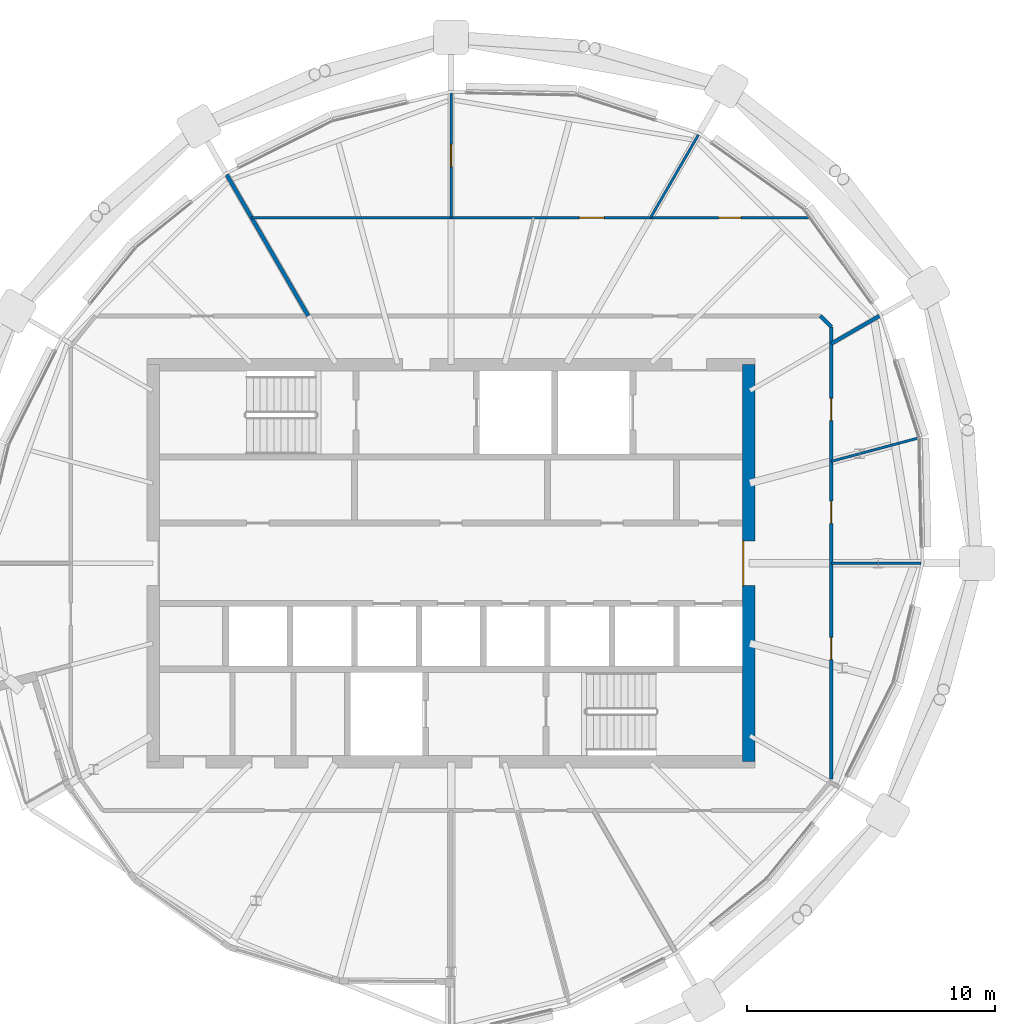
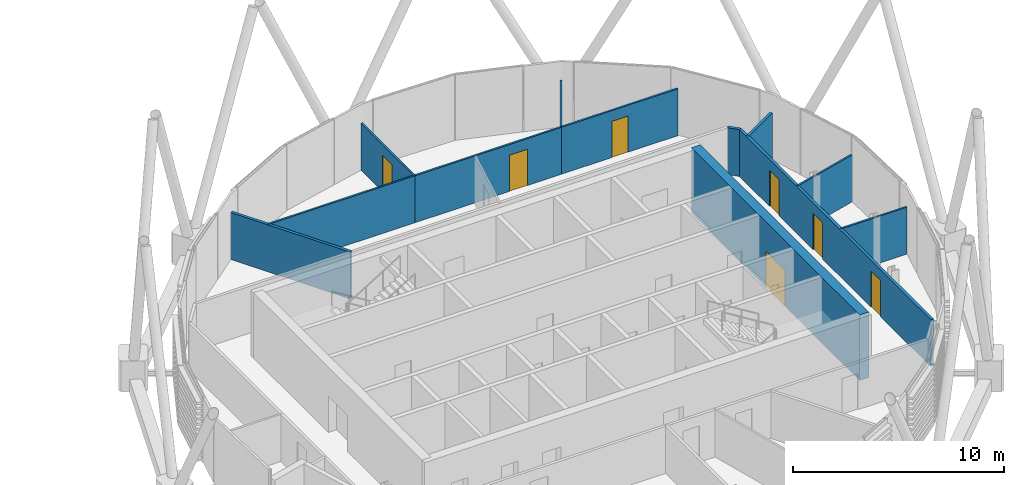
# One storey, part 23 of 31: 12 walls, 7 doors, 7 openings.
"""IFC4 building model written with IfcOpenShell, lengths in metres."""

from ifc_helpers import new_model, si_unit, direction, frame, frame_2d, origin, place, context, subcontext, project, spatial, rectangle, extrude, material, layer, layer_set, type_object, element, fill, save


model = new_model("IFC4")

# Units and contexts
model_context = context("Model", 3, precision=1e-05, world=origin(), true_north=direction((0.0, 1.0)))
body_context = subcontext(model_context, "Body", "Model", "MODEL_VIEW")
ifc_project = project(units=[si_unit("LENGTHUNIT", "METRE"), si_unit("AREAUNIT", "SQUARE_METRE"), si_unit("VOLUMEUNIT", "CUBIC_METRE"), si_unit("PLANEANGLEUNIT", "RADIAN"), si_unit("MASSUNIT", "GRAM", prefix="KILO")], contexts=[model_context])

# Site, building, storey
site_placement = place(None, origin())
site = spatial("IfcSite", under=ifc_project, at=site_placement, CompositionType="ELEMENT")
building_placement = place(site_placement, origin())
building = spatial("IfcBuilding", under=site, at=building_placement, Name="Rimbun Link Towers", CompositionType="ELEMENT")
storey_placement = place(building_placement, frame((0.0, 0.0, 244.699951171875)))
storey = spatial("IfcBuildingStorey", under=building, at=storey_placement, Name="L60", CompositionType="ELEMENT", Elevation=244.699951171875)

# Wall, opening, door
ifc_material_1 = material(Name="Concrete C60/75", Category="concrete")
ifc_layer_1 = layer(ifc_material_1, 0.5)
ifc_layer_set_1 = layer_set([ifc_layer_1], Name="Core shear wall 500")
wall_type_1 = type_object("IfcWallType", Name="Core shear wall 500", PredefinedType="SHEAR", material=ifc_layer_set_1)
wall_1_placement = place(storey_placement, frame((43.75, -8.0, 0.0), z_axis=(0.0, 0.0, 1.0), x_axis=(0.0, 1.0, 0.0)))
wall_1 = element("IfcWall", 1, at=wall_1_placement, inside=storey, type_object=wall_type_1, Name="L60 T2 core wall E", PredefinedType="SHEAR", context=body_context, shape_type="SweptSolid", body=[
    extrude(rectangle(XDim=16.0, YDim=0.5, at=frame_2d((8.0, 0.0))), origin(), (0.0, 0.0, 1.0), 3.800048828125),
])
opening_1_placement = place(wall_1_placement, frame((7.10009765625, 0.0, 0.0)))
opening_1 = element("IfcOpeningElement", 2, at=opening_1_placement, cuts=wall_1, Name="Opening C2DCL01E", PredefinedType="OPENING", context=body_context, shape_type="SweptSolid", body=[
    extrude(rectangle(XDim=1.800048828125, YDim=2.10009765625, at=frame_2d((0.89990234375, 1.050048828125))), frame((0.0, 0.260009765625, 0.0), z_axis=(0.0, -1.0, 0.0), x_axis=(1.0, 0.0, 0.0)), (0.0, 0.0, 1.0), 0.52001953125),
])
ifc_material_2 = material(Name="Steel fire door set", Category="steel")
door_type_1 = type_object("IfcDoorType", Name="Core lobby door double", OperationType="DOUBLE_DOOR_SINGLE_SWING", PredefinedType="DOOR", material=ifc_material_2)
door_1_placement = place(opening_1_placement, origin())
door_1 = element("IfcDoor", 3, at=door_1_placement, inside=storey, type_object=door_type_1, Name="L60 T2 lift lobby door", OperationType="DOUBLE_DOOR_SINGLE_SWING", OverallHeight=2.10009765625, OverallWidth=1.800048828125, PredefinedType="DOOR", context=body_context, shape_type="SweptSolid", body=[
    extrude(rectangle(XDim=1.800048828125, YDim=2.10009765625, at=frame_2d((0.89990234375, 1.050048828125))), frame((0.0, 0.25, 0.0), z_axis=(0.0, -1.0, 0.0), x_axis=(1.0, 0.0, 0.0)), (0.0, 0.0, 1.0), 0.050048828125),
])
fill(opening_1, door_1)

# Wall
ifc_material_3 = material(Name="Plasterboard on steel stud, mineral wool", Category="steel")
ifc_layer_2 = layer(ifc_material_3, 0.14990234375)
ifc_layer_set_2 = layer_set([ifc_layer_2], Name="Corridor wall EI 30 150 mm")
wall_type_2 = type_object("IfcWallType", Name="Corridor wall EI 30 150 mm", PredefinedType="PARTITIONING", material=ifc_layer_set_2)
wall_2_placement = place(storey_placement, frame((47.074951171875, 9.523681640625, 0.0), z_axis=(0.0, 0.0, 1.0), x_axis=(-0.706911150604, 0.70730235766, 0.0)))
element("IfcWall", 4, at=wall_2_placement, inside=storey, type_object=wall_type_2, Name="Corridor wall EI 30 150 mm", PredefinedType="PARTITIONING", context=body_context, shape_type="SweptSolid", body=[
    extrude(rectangle(XDim=0.6240234375, YDim=0.14990234375, at=frame_2d((0.31201171875, 0.0))), origin(), (0.0, 0.0, 1.0), 2.72216796875),
])

# Wall, openings, doors
wall_3_placement = place(storey_placement, frame((47.074951171875, 9.523681640625, 0.0), z_axis=(0.0, 0.0, 1.0), x_axis=(0.0, -1.0, 0.0)))
wall_3 = element("IfcWall", 5, at=wall_3_placement, inside=storey, type_object=wall_type_2, Name="Corridor wall EI 30 150 mm", PredefinedType="PARTITIONING", context=body_context, shape_type="SweptSolid", body=[
    extrude(rectangle(XDim=18.2158203125, YDim=0.14990234375, at=frame_2d((9.10791015625, 0.0))), origin(), (0.0, 0.0, 1.0), 2.72216796875),
])
opening_2_placement = place(wall_3_placement, frame((12.513671875, 0.0, 0.0)))
opening_2 = element("IfcOpeningElement", 6, at=opening_2_placement, cuts=wall_3, Name="Opening D02", PredefinedType="OPENING", context=body_context, shape_type="SweptSolid", body=[
    extrude(rectangle(XDim=0.89990234375, YDim=2.10009765625, at=frame_2d((0.449951171875, 1.050048828125))), frame((0.0, 0.0849609375, 0.0), z_axis=(0.0, -1.0, 0.0), x_axis=(1.0, 0.0, 0.0)), (0.0, 0.0, 1.0), 0.169921875),
])
opening_3_placement = place(wall_3_placement, frame((7.0205078125, 0.0, 0.0)))
opening_3 = element("IfcOpeningElement", 7, at=opening_3_placement, cuts=wall_3, Name="Opening D02", PredefinedType="OPENING", context=body_context, shape_type="SweptSolid", body=[
    extrude(rectangle(XDim=0.89990234375, YDim=2.10009765625, at=frame_2d((0.449951171875, 1.050048828125))), frame((0.0, 0.0849609375, 0.0), z_axis=(0.0, -1.0, 0.0), x_axis=(1.0, 0.0, 0.0)), (0.0, 0.0, 1.0), 0.169921875),
])
opening_4_placement = place(wall_3_placement, frame((2.880615234375, 0.0, 0.0)))
opening_4 = element("IfcOpeningElement", 8, at=opening_4_placement, cuts=wall_3, Name="Opening D02", PredefinedType="OPENING", context=body_context, shape_type="SweptSolid", body=[
    extrude(rectangle(XDim=0.89990234375, YDim=2.10009765625, at=frame_2d((0.449951171875, 1.050048828125))), frame((0.0, 0.0849609375, 0.0), z_axis=(0.0, -1.0, 0.0), x_axis=(1.0, 0.0, 0.0)), (0.0, 0.0, 1.0), 0.169921875),
])
ifc_material_4 = material(Name="Fire-resisting timber door leaf", Category="wood")
door_type_2 = type_object("IfcDoorType", Name="Fire door FD30S 900", OperationType="NOTDEFINED", PredefinedType="DOOR", material=ifc_material_4)
door_2_placement = place(opening_2_placement, origin())
door_2 = element("IfcDoor", 9, at=door_2_placement, inside=storey, type_object=door_type_2, Name="Fire door FD30S 900 to Print room", OperationType="SINGLE_SWING_RIGHT", OverallHeight=2.10009765625, OverallWidth=0.89990234375, PredefinedType="DOOR", context=body_context, shape_type="SweptSolid", body=[
    extrude(rectangle(XDim=0.89990234375, YDim=2.10009765625, at=frame_2d((0.449951171875, 1.050048828125))), frame((0.0, 0.02490234375, 0.0), z_axis=(0.0, -1.0, 0.0), x_axis=(1.0, 0.0, 0.0)), (0.0, 0.0, 1.0), 0.050048828125),
])
fill(opening_2, door_2)
door_3_placement = place(opening_3_placement, origin())
door_3 = element("IfcDoor", 10, at=door_3_placement, inside=storey, type_object=door_type_2, Name="Fire door FD30S 900 to Open office", OperationType="SINGLE_SWING_LEFT", OverallHeight=2.10009765625, OverallWidth=0.89990234375, PredefinedType="DOOR", context=body_context, shape_type="SweptSolid", body=[
    extrude(rectangle(XDim=0.89990234375, YDim=2.10009765625, at=frame_2d((0.449951171875, 1.050048828125))), frame((0.0, 0.02490234375, 0.0), z_axis=(0.0, -1.0, 0.0), x_axis=(1.0, 0.0, 0.0)), (0.0, 0.0, 1.0), 0.050048828125),
])
fill(opening_3, door_3)
door_4_placement = place(opening_4_placement, origin())
door_4 = element("IfcDoor", 11, at=door_4_placement, inside=storey, type_object=door_type_2, Name="Fire door FD30S 900 to Meeting room", OperationType="SINGLE_SWING_RIGHT", OverallHeight=2.10009765625, OverallWidth=0.89990234375, PredefinedType="DOOR", context=body_context, shape_type="SweptSolid", body=[
    extrude(rectangle(XDim=0.89990234375, YDim=2.10009765625, at=frame_2d((0.449951171875, 1.050048828125))), frame((0.0, 0.02490234375, 0.0), z_axis=(0.0, -1.0, 0.0), x_axis=(1.0, 0.0, 0.0)), (0.0, 0.0, 1.0), 0.050048828125),
])
fill(opening_4, door_4)

# Walls
ifc_material_5 = material(Name="Plasterboard on steel stud", Category="steel")
ifc_layer_3 = layer(ifc_material_5, 0.10009765625)
ifc_layer_set_3 = layer_set([ifc_layer_3], Name="Plasterboard partition 100 mm")
wall_type_3 = type_object("IfcWallType", Name="Plasterboard partition 100 mm", PredefinedType="PARTITIONING", material=ifc_layer_set_3)
wall_4_placement = place(storey_placement, frame((50.689208984375, 0.0, 0.0), z_axis=(0.0, 0.0, 1.0), x_axis=(-1.0, 0.0, 0.0)))
element("IfcWall", 12, at=wall_4_placement, inside=storey, type_object=wall_type_3, Name="Plasterboard partition 100 mm", PredefinedType="PARTITIONING", context=body_context, shape_type="SweptSolid", body=[
    extrude(rectangle(XDim=3.6142578125, YDim=0.10009765625, at=frame_2d((1.80712890625, 0.0))), origin(), (0.0, 0.0, 1.0), 2.72216796875),
])
wall_5_placement = place(storey_placement, frame((50.5830078125, 5.04638671875, 0.0), z_axis=(0.0, 0.0, 1.0), x_axis=(-0.965928547864, -0.258808887833, 0.0)))
element("IfcWall", 13, at=wall_5_placement, inside=storey, type_object=wall_type_3, Name="Plasterboard partition 100 mm", PredefinedType="PARTITIONING", context=body_context, shape_type="SweptSolid", body=[
    extrude(rectangle(XDim=3.6318359375, YDim=0.10009765625, at=frame_2d((1.81591796875, 0.0))), origin(), (0.0, 0.0, 1.0), 2.72216796875),
])

# Wall, opening, door
wall_6_placement = place(storey_placement, frame((39.78955078125, 13.925048828125, 0.0), z_axis=(0.0, 0.0, 1.0), x_axis=(1.0, 0.0, 0.0)))
wall_6 = element("IfcWall", 14, at=wall_6_placement, inside=storey, type_object=wall_type_3, Name="Plasterboard partition 100 mm", PredefinedType="PARTITIONING", context=body_context, shape_type="SweptSolid", body=[
    extrude(rectangle(XDim=6.38916015625, YDim=0.10009765625, at=frame_2d((3.194580078125, 0.0))), origin(), (0.0, 0.0, 1.0), 2.72216796875),
])
opening_5_placement = place(wall_6_placement, frame((2.74462890625, 0.0, 0.0)))
opening_5 = element("IfcOpeningElement", 15, at=opening_5_placement, cuts=wall_6, Name="Opening D04", PredefinedType="OPENING", context=body_context, shape_type="SweptSolid", body=[
    extrude(rectangle(XDim=0.89990234375, YDim=2.10009765625, at=frame_2d((0.449951171875, 1.050048828125))), frame((0.0, 0.06005859375, 0.0), z_axis=(0.0, -1.0, 0.0), x_axis=(1.0, 0.0, 0.0)), (0.0, 0.0, 1.0), 0.1201171875),
])
ifc_material_6 = material(Name="Timber door leaf", Category="wood")
door_type_3 = type_object("IfcDoorType", Name="Flush door 900", OperationType="NOTDEFINED", PredefinedType="DOOR", material=ifc_material_6)
door_5_placement = place(opening_5_placement, origin())
door_5 = element("IfcDoor", 16, at=door_5_placement, inside=storey, type_object=door_type_3, Name="Flush door 900 to Executive office", OperationType="SINGLE_SWING_RIGHT", OverallHeight=2.10009765625, OverallWidth=0.89990234375, PredefinedType="DOOR", context=body_context, shape_type="SweptSolid", body=[
    extrude(rectangle(XDim=0.89990234375, YDim=2.10009765625, at=frame_2d((0.449951171875, 1.050048828125))), frame((0.0, 0.02490234375, 0.0), z_axis=(0.0, -1.0, 0.0), x_axis=(1.0, 0.0, 0.0)), (0.0, 0.0, 1.0), 0.050048828125),
])
fill(opening_5, door_5)

wall_7_placement = place(storey_placement, frame((31.75, 13.925048828125, 0.0), z_axis=(0.0, 0.0, 1.0), x_axis=(1.0, 0.0, 0.0)))
wall_7 = element("IfcWall", 17, at=wall_7_placement, inside=storey, type_object=wall_type_3, Name="Plasterboard partition 100 mm", PredefinedType="PARTITIONING", context=body_context, shape_type="SweptSolid", body=[
    extrude(rectangle(XDim=8.03955078125, YDim=0.10009765625, at=frame_2d((4.019775390625, 0.0))), origin(), (0.0, 0.0, 1.0), 2.72216796875),
])
opening_6_placement = place(wall_7_placement, frame((5.16650390625, 0.0, 0.0)))
opening_6 = element("IfcOpeningElement", 18, at=opening_6_placement, cuts=wall_7, Name="Opening D03", PredefinedType="OPENING", context=body_context, shape_type="SweptSolid", body=[
    extrude(rectangle(XDim=1.0, YDim=2.10009765625, at=frame_2d((0.5, 1.050048828125))), frame((0.0, 0.06005859375, 0.0), z_axis=(0.0, -1.0, 0.0), x_axis=(1.0, 0.0, 0.0)), (0.0, 0.0, 1.0), 0.1201171875),
])
ifc_material_7 = material(Name="Timber door leaf", Category="wood")
door_type_4 = type_object("IfcDoorType", Name="Flush door 1000", OperationType="NOTDEFINED", PredefinedType="DOOR", material=ifc_material_7)
door_6_placement = place(opening_6_placement, origin())
door_6 = element("IfcDoor", 19, at=door_6_placement, inside=storey, type_object=door_type_4, Name="Flush door 1000 to Open office", OperationType="SINGLE_SWING_LEFT", OverallHeight=2.10009765625, OverallWidth=1.0, PredefinedType="DOOR", context=body_context, shape_type="SweptSolid", body=[
    extrude(rectangle(XDim=1.0, YDim=2.10009765625, at=frame_2d((0.5, 1.050048828125))), frame((0.0, 0.02490234375, 0.0), z_axis=(0.0, -1.0, 0.0), x_axis=(1.0, 0.0, 0.0)), (0.0, 0.0, 1.0), 0.050048828125),
])
fill(opening_6, door_6)

# Walls
wall_8_placement = place(storey_placement, frame((31.75, 13.925048828125, 0.0), z_axis=(0.0, 0.0, 1.0), x_axis=(-1.0, 0.0, 0.0)))
element("IfcWall", 20, at=wall_8_placement, inside=storey, type_object=wall_type_3, Name="Plasterboard partition 100 mm", PredefinedType="PARTITIONING", context=body_context, shape_type="SweptSolid", body=[
    extrude(rectangle(XDim=8.039794921875, YDim=0.10009765625, at=frame_2d((4.02001953125, 0.0))), origin(), (0.0, 0.0, 1.0), 2.72216796875),
])
wall_9_placement = place(storey_placement, frame((41.71923828125, 17.267333984375, 0.0), z_axis=(0.0, 0.0, 1.0), x_axis=(-0.500003549559, -0.866023354436, 0.0)))
element("IfcWall", 21, at=wall_9_placement, inside=storey, type_object=wall_type_3, Name="Plasterboard partition 100 mm", PredefinedType="PARTITIONING", context=body_context, shape_type="SweptSolid", body=[
    extrude(rectangle(XDim=3.859375, YDim=0.10009765625, at=frame_2d((1.9296875, 0.0))), origin(), (0.0, 0.0, 1.0), 2.72216796875),
])

# Wall, opening, door
wall_10_placement = place(storey_placement, frame((31.75, 13.925048828125, 0.0), z_axis=(0.0, 0.0, 1.0), x_axis=(0.0, 1.0, 0.0)))
wall_10 = element("IfcWall", 22, at=wall_10_placement, inside=storey, type_object=wall_type_3, Name="Plasterboard partition 100 mm", PredefinedType="PARTITIONING", context=body_context, shape_type="SweptSolid", body=[
    extrude(rectangle(XDim=5.01416015625, YDim=0.10009765625, at=frame_2d((2.507080078125, 0.0))), origin(), (0.0, 0.0, 1.0), 2.72216796875),
])
opening_7_placement = place(wall_10_placement, frame((2.05712890625, 0.0, 0.0)))
opening_7 = element("IfcOpeningElement", 23, at=opening_7_placement, cuts=wall_10, Name="Opening D04", PredefinedType="OPENING", context=body_context, shape_type="SweptSolid", body=[
    extrude(rectangle(XDim=0.89990234375, YDim=2.10009765625, at=frame_2d((0.449951171875, 1.050048828125))), frame((0.0, 0.06005859375, 0.0), z_axis=(0.0, -1.0, 0.0), x_axis=(1.0, 0.0, 0.0)), (0.0, 0.0, 1.0), 0.1201171875),
])
door_7_placement = place(opening_7_placement, origin())
door_7 = element("IfcDoor", 24, at=door_7_placement, inside=storey, type_object=door_type_3, Name="Flush door 900 to Boardroom", OperationType="SINGLE_SWING_RIGHT", OverallHeight=2.10009765625, OverallWidth=0.89990234375, PredefinedType="DOOR", context=body_context, shape_type="SweptSolid", body=[
    extrude(rectangle(XDim=0.89990234375, YDim=2.10009765625, at=frame_2d((0.449951171875, 1.050048828125))), frame((0.0, 0.02490234375, 0.0), z_axis=(0.0, -1.0, 0.0), x_axis=(1.0, 0.0, 0.0)), (0.0, 0.0, 1.0), 0.050048828125),
])
fill(opening_7, door_7)

# Walls
ifc_material_8 = material(Name="Plasterboard on steel stud, mineral wool", Category="steel")
ifc_layer_4 = layer(ifc_material_8, 0.14990234375)
ifc_layer_set_4 = layer_set([ifc_layer_4], Name="Tenancy separation wall EI 60 150 mm")
wall_type_4 = type_object("IfcWallType", Name="Tenancy separation wall EI 60 150 mm", PredefinedType="PARTITIONING", material=ifc_layer_set_4)
wall_11_placement = place(storey_placement, frame((25.99658203125, 9.965087890625, 0.0), z_axis=(0.0, 0.0, 1.0), x_axis=(-0.499995874514, 0.866027785622, 0.0)))
element("IfcWall", 25, at=wall_11_placement, inside=storey, type_object=wall_type_4, Name="Tenancy separation wall EI 60 150 mm", PredefinedType="PARTITIONING", context=body_context, shape_type="SweptSolid", body=[
    extrude(rectangle(XDim=6.56982421875, YDim=0.14990234375, at=frame_2d((3.284912109375, 0.0))), origin(), (0.0, 0.0, 1.0), 2.72216796875),
])
wall_12_placement = place(storey_placement, frame((47.074951171875, 8.847900390625, 0.0), z_axis=(0.0, 0.0, 1.0), x_axis=(0.866044197965, 0.499967446111, 0.0)))
element("IfcWall", 26, at=wall_12_placement, inside=storey, type_object=wall_type_4, Name="Tenancy separation wall EI 60 150 mm", PredefinedType="PARTITIONING", context=body_context, shape_type="SweptSolid", body=[
    extrude(rectangle(XDim=2.242919921875, YDim=0.14990234375, at=frame_2d((1.12158203125, 0.0))), origin(), (0.0, 0.0, 1.0), 2.72216796875),
])

save(model, "model.ifc")
